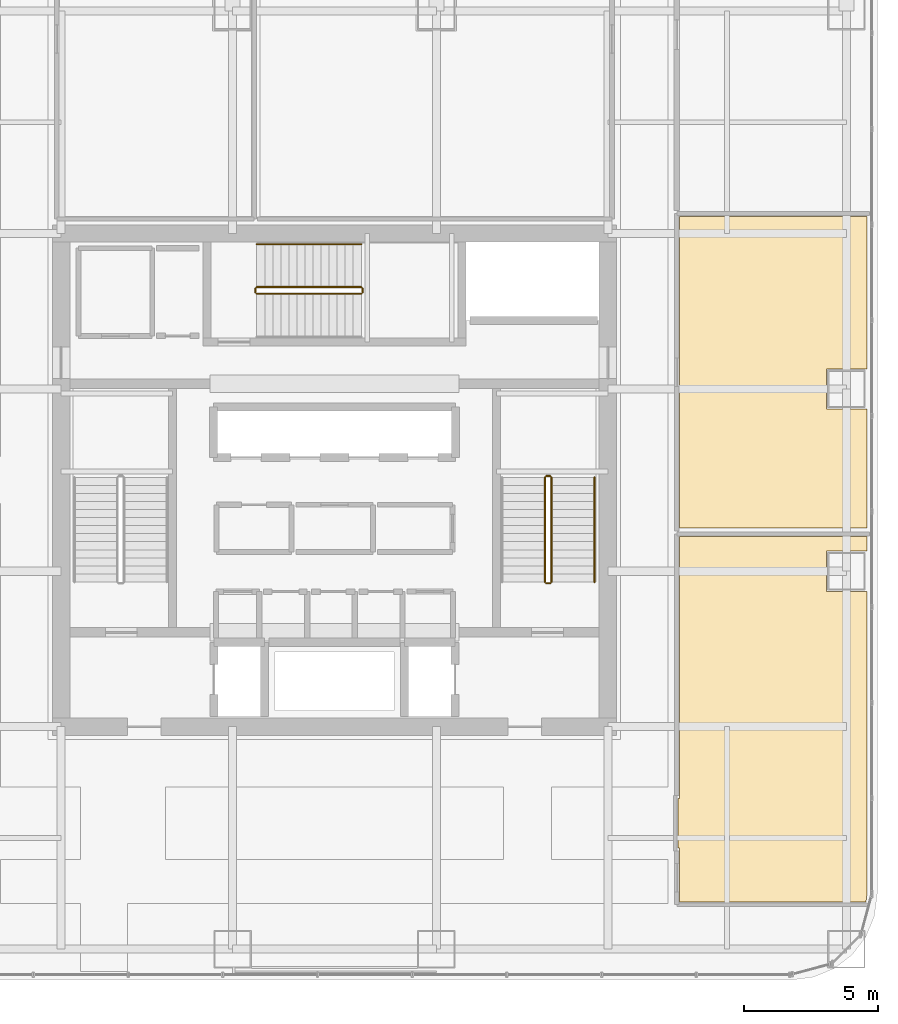
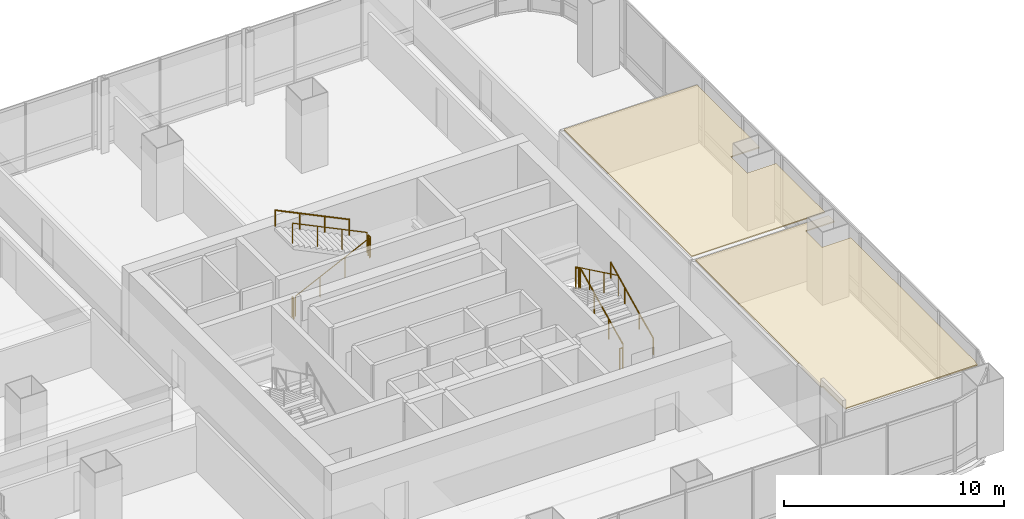
# One storey, part 37 of 38: 10 railings, 2 coverings.
"""IFC4 building model written with IfcOpenShell, lengths in metres."""

from ifc_helpers import new_model, si_unit, direction, frame, origin, origin_2d, place, context, subcontext, project, spatial, polyline, circle, outline, extrude, material, layer, layer_set, type_object, element, save


model = new_model("IFC4")

# Units and contexts
model_context = context("Model", 3, precision=1e-05, world=origin(), true_north=direction((0.0, 1.0)))
body_context = subcontext(model_context, "Body", "Model", "MODEL_VIEW")
ifc_project = project(units=[si_unit("LENGTHUNIT", "METRE"), si_unit("AREAUNIT", "SQUARE_METRE"), si_unit("VOLUMEUNIT", "CUBIC_METRE"), si_unit("PLANEANGLEUNIT", "RADIAN"), si_unit("MASSUNIT", "GRAM", prefix="KILO")], contexts=[model_context])

# Site, building, storey
site_placement = place(None, origin())
site = spatial("IfcSite", under=ifc_project, at=site_placement, CompositionType="ELEMENT")
building_placement = place(site_placement, origin())
building = spatial("IfcBuilding", under=site, at=building_placement, Name="Punatoya Terracotta Tower", CompositionType="ELEMENT")
storey_placement = place(building_placement, frame((0.0, 0.0, 151.949951171875)))
storey = spatial("IfcBuildingStorey", under=building, at=storey_placement, Name="L35", CompositionType="ELEMENT", Elevation=151.949951171875)

# Coverings
ifc_material_1 = material(Name="Acoustic Mineral Fibre Ceiling")
ifc_layer = layer(ifc_material_1, 0.06005859375)
ifc_layer_set = layer_set([ifc_layer], Name="Acoustic Mineral Fibre Ceiling")
covering_type = type_object("IfcCoveringType", Name="COV-CEIL-60", PredefinedType="CEILING", material=ifc_layer_set)
covering_1_placement = place(storey_placement, frame((0.0, 0.0, 3.219970703125)))
element("IfcCovering", 1, at=covering_1_placement, inside=storey, type_object=covering_type, Name="L35 Open-Plan Computational Simulation Laboratory Acoustic Ceiling", PredefinedType="CEILING", context=body_context, shape_type="SweptSolid", body=[
    extrude(outline(polyline([(12.81005859375, -13.72998046875), (12.8701171875, -13.72998046875), (12.8701171875, -15.739990234375), (19.82861328125, -15.739990234375), (19.8701171875, -15.425048828125), (19.8701171875, -4.14990234375), (18.35009765625, -4.14990234375), (18.35009765625, -2.64990234375), (19.8701171875, -2.64990234375), (19.8701171875, -2.113037109375), (12.8701171875, -2.113037109375), (12.8701171875, -11.8701171875), (12.81005859375, -11.8701171875), (12.81005859375, -13.72998046875)])), origin(), (0.0, 0.0, 1.0), 0.06005859375),
])
covering_2_placement = place(storey_placement, frame((0.0, 0.0, 3.219970703125)))
element("IfcCovering", 2, at=covering_2_placement, inside=storey, type_object=covering_type, Name="L35 Open-Plan Materials Testing Laboratory Acoustic Ceiling", PredefinedType="CEILING", context=body_context, shape_type="SweptSolid", body=[
    extrude(outline(polyline([(18.35009765625, 4.14990234375), (19.8701171875, 4.14990234375), (19.8701171875, 9.842041015625), (12.8701171875, 9.842041015625), (12.8701171875, -1.79296875), (19.8701171875, -1.79296875), (19.8701171875, 2.64990234375), (18.35009765625, 2.64990234375), (18.35009765625, 4.14990234375)])), origin(), (0.0, 0.0, 1.0), 0.06005859375),
])

# Railings
ifc_material_2 = material(Name="Steel S355", Category="steel")
railing_type_1 = type_object("IfcRailingType", Name="RLG-GRD-1150", PredefinedType="GUARDRAIL", material=ifc_material_2)
railing_1_placement = place(storey_placement, frame((8.10009765625, -3.800048828125, 0.144775390625)))
element("IfcRailing", 3, at=railing_1_placement, inside=storey, type_object=railing_type_1, Name="L35 ST-2 stair guard 1", PredefinedType="GUARDRAIL", context=body_context, shape_type="SweptSolid", body=[
    extrude(circle(Radius=0.02392578125, at=origin_2d()), frame((0.0, 0.0, 1.1259765625), z_axis=(0.0, 0.900773802044, 0.434288564841), x_axis=(-1.0, 0.0, 0.0)), (0.0, 0.0, 1.0), 4.329833984375),
    extrude(circle(Radius=0.02099609375, at=origin_2d()), origin(), (0.0, 0.0, 1.0), 1.101806640625),
    extrude(circle(Radius=0.02099609375, at=origin_2d()), frame((0.0, 1.300048828125, 0.626708984375)), (0.0, 0.0, 1.0), 1.101806640625),
    extrude(circle(Radius=0.02099609375, at=origin_2d()), frame((0.0, 2.60009765625, 1.253662109375)), (0.0, 0.0, 1.0), 1.101806640625),
    extrude(circle(Radius=0.02099609375, at=origin_2d()), frame((0.0, 3.900146484375, 1.88037109375)), (0.0, 0.0, 1.0), 1.101806640625),
])
railing_2_placement = place(storey_placement, frame((8.050048828125, 0.14990234375, 2.025146484375)))
element("IfcRailing", 4, at=railing_2_placement, inside=storey, type_object=railing_type_1, Name="L35 ST-2 stair guard 2", PredefinedType="GUARDRAIL", context=body_context, shape_type="SweptSolid", body=[
    extrude(circle(Radius=0.02392578125, at=origin_2d()), frame((0.0, 0.0, 1.1259765625), z_axis=(-1.0, 0.0, 0.0), x_axis=(0.0, -1.0, 0.0)), (0.0, 0.0, 1.0), 0.150146484375),
    extrude(circle(Radius=0.02099609375, at=origin_2d()), origin(), (0.0, 0.0, 1.0), 1.101806640625),
    extrude(circle(Radius=0.02099609375, at=origin_2d()), frame((-0.150146484375, 0.0, 0.0)), (0.0, 0.0, 1.0), 1.101806640625),
])
railing_3_placement = place(storey_placement, frame((7.85009765625, 0.10009765625, 2.169677734375)))
element("IfcRailing", 5, at=railing_3_placement, inside=storey, type_object=railing_type_1, Name="L35 ST-2 stair guard 3", PredefinedType="GUARDRAIL", context=body_context, shape_type="SweptSolid", body=[
    extrude(circle(Radius=0.02392578125, at=origin_2d()), frame((0.0, 0.0, 1.1259765625), z_axis=(0.0, -0.900773802044, 0.434288564841), x_axis=(1.0, 0.0, 0.0)), (0.0, 0.0, 1.0), 4.329833984375),
    extrude(circle(Radius=0.02099609375, at=origin_2d()), origin(), (0.0, 0.0, 1.0), 1.101806640625),
    extrude(circle(Radius=0.02099609375, at=origin_2d()), frame((0.0, -1.300048828125, 0.626708984375)), (0.0, 0.0, 1.0), 1.101806640625),
    extrude(circle(Radius=0.02099609375, at=origin_2d()), frame((0.0, -2.60009765625, 1.253662109375)), (0.0, 0.0, 1.0), 1.101806640625),
    extrude(circle(Radius=0.02099609375, at=origin_2d()), frame((0.0, -3.900146484375, 1.88037109375)), (0.0, 0.0, 1.0), 1.101806640625),
])
railing_4_placement = place(storey_placement, frame((8.050048828125, -3.85009765625, 0.0)))
element("IfcRailing", 6, at=railing_4_placement, inside=storey, type_object=railing_type_1, Name="L35 ST-2 stair guard 4", PredefinedType="GUARDRAIL", context=body_context, shape_type="SweptSolid", body=[
    extrude(circle(Radius=0.02392578125, at=origin_2d()), frame((0.0, 0.0, 1.1259765625), z_axis=(-1.0, 0.0, 0.0), x_axis=(0.0, -1.0, 0.0)), (0.0, 0.0, 1.0), 0.150146484375),
    extrude(circle(Radius=0.02099609375, at=origin_2d()), origin(), (0.0, 0.0, 1.0), 1.101806640625),
    extrude(circle(Radius=0.02099609375, at=origin_2d()), frame((-0.150146484375, 0.0, 0.0)), (0.0, 0.0, 1.0), 1.101806640625),
])
railing_5_placement = place(storey_placement, frame((-2.89990234375, 6.949951171875, 0.144775390625)))
element("IfcRailing", 7, at=railing_5_placement, inside=storey, type_object=railing_type_1, Name="L35 ST-3 stair guard 1", PredefinedType="GUARDRAIL", context=body_context, shape_type="SweptSolid", body=[
    extrude(circle(Radius=0.02392578125, at=origin_2d()), frame((0.0, 0.0, 1.1259765625), z_axis=(0.900763166376, 0.0, 0.434310623978), x_axis=(0.0, 1.0, 0.0)), (0.0, 0.0, 1.0), 4.32958984375),
    extrude(circle(Radius=0.02099609375, at=origin_2d()), origin(), (0.0, 0.0, 1.0), 1.101806640625),
    extrude(circle(Radius=0.02099609375, at=origin_2d()), frame((1.300048828125, 0.0, 0.626708984375)), (0.0, 0.0, 1.0), 1.101806640625),
    extrude(circle(Radius=0.02099609375, at=origin_2d()), frame((2.599853515625, 0.0, 1.253662109375)), (0.0, 0.0, 1.0), 1.101806640625),
    extrude(circle(Radius=0.02099609375, at=origin_2d()), frame((3.89990234375, 0.0, 1.88037109375)), (0.0, 0.0, 1.0), 1.101806640625),
])
railing_6_placement = place(storey_placement, frame((1.050048828125, 7.0, 2.025146484375)))
element("IfcRailing", 8, at=railing_6_placement, inside=storey, type_object=railing_type_1, Name="L35 ST-3 stair guard 2", PredefinedType="GUARDRAIL", context=body_context, shape_type="SweptSolid", body=[
    extrude(circle(Radius=0.02392578125, at=origin_2d()), frame((0.0, 0.0, 1.1259765625), z_axis=(0.0, 1.0, 0.0), x_axis=(-1.0, 0.0, 0.0)), (0.0, 0.0, 1.0), 0.14990234375),
    extrude(circle(Radius=0.02099609375, at=origin_2d()), origin(), (0.0, 0.0, 1.0), 1.101806640625),
    extrude(circle(Radius=0.02099609375, at=origin_2d()), frame((0.0, 0.14990234375, 0.0)), (0.0, 0.0, 1.0), 1.101806640625),
])
railing_7_placement = place(storey_placement, frame((1.0, 7.199951171875, 2.169677734375)))
element("IfcRailing", 9, at=railing_7_placement, inside=storey, type_object=railing_type_1, Name="L35 ST-3 stair guard 3", PredefinedType="GUARDRAIL", context=body_context, shape_type="SweptSolid", body=[
    extrude(circle(Radius=0.02392578125, at=origin_2d()), frame((0.0, 0.0, 1.1259765625), z_axis=(-0.900763166376, 0.0, 0.434310623978), x_axis=(0.0, -1.0, 0.0)), (0.0, 0.0, 1.0), 4.32958984375),
    extrude(circle(Radius=0.02099609375, at=origin_2d()), origin(), (0.0, 0.0, 1.0), 1.101806640625),
    extrude(circle(Radius=0.02099609375, at=origin_2d()), frame((-1.300048828125, 0.0, 0.626708984375)), (0.0, 0.0, 1.0), 1.101806640625),
    extrude(circle(Radius=0.02099609375, at=origin_2d()), frame((-2.599853515625, 0.0, 1.253662109375)), (0.0, 0.0, 1.0), 1.101806640625),
    extrude(circle(Radius=0.02099609375, at=origin_2d()), frame((-3.89990234375, 0.0, 1.88037109375)), (0.0, 0.0, 1.0), 1.101806640625),
])
railing_8_placement = place(storey_placement, frame((-2.949951171875, 7.0, 0.0)))
element("IfcRailing", 10, at=railing_8_placement, inside=storey, type_object=railing_type_1, Name="L35 ST-3 stair guard 4", PredefinedType="GUARDRAIL", context=body_context, shape_type="SweptSolid", body=[
    extrude(circle(Radius=0.02392578125, at=origin_2d()), frame((0.0, 0.0, 1.1259765625), z_axis=(0.0, 1.0, 0.0), x_axis=(-1.0, 0.0, 0.0)), (0.0, 0.0, 1.0), 0.14990234375),
    extrude(circle(Radius=0.02099609375, at=origin_2d()), origin(), (0.0, 0.0, 1.0), 1.101806640625),
    extrude(circle(Radius=0.02099609375, at=origin_2d()), frame((0.0, 0.14990234375, 0.0)), (0.0, 0.0, 1.0), 1.101806640625),
])
railing_type_2 = type_object("IfcRailingType", Name="RLG-HND-900", PredefinedType="HANDRAIL", material=ifc_material_2)
railing_9_placement = place(storey_placement, frame((9.699951171875, -3.800048828125, 0.144775390625)))
element("IfcRailing", 11, at=railing_9_placement, inside=storey, type_object=railing_type_2, Name="L35 ST-2 stair handrail 1", PredefinedType="HANDRAIL", context=body_context, shape_type="SweptSolid", body=[
    extrude(circle(Radius=0.02392578125, at=origin_2d()), frame((0.0, 0.0, 0.8759765625), z_axis=(0.0, 0.900773802044, 0.434288564841), x_axis=(-1.0, 0.0, 0.0)), (0.0, 0.0, 1.0), 4.329833984375),
    extrude(circle(Radius=0.02099609375, at=origin_2d()), origin(), (0.0, 0.0, 1.0), 0.851806640625),
    extrude(circle(Radius=0.02099609375, at=origin_2d()), frame((0.0, 1.300048828125, 0.626708984375)), (0.0, 0.0, 1.0), 0.851806640625),
    extrude(circle(Radius=0.02099609375, at=origin_2d()), frame((0.0, 2.60009765625, 1.253662109375)), (0.0, 0.0, 1.0), 0.851806640625),
    extrude(circle(Radius=0.02099609375, at=origin_2d()), frame((0.0, 3.900146484375, 1.88037109375)), (0.0, 0.0, 1.0), 0.851806640625),
])
railing_10_placement = place(storey_placement, frame((1.0, 8.800048828125, 2.169677734375)))
element("IfcRailing", 12, at=railing_10_placement, inside=storey, type_object=railing_type_2, Name="L35 ST-3 stair handrail 2", PredefinedType="HANDRAIL", context=body_context, shape_type="SweptSolid", body=[
    extrude(circle(Radius=0.02392578125, at=origin_2d()), frame((0.0, 0.0, 0.8759765625), z_axis=(-0.900763166376, 0.0, 0.434310623978), x_axis=(0.0, -1.0, 0.0)), (0.0, 0.0, 1.0), 4.32958984375),
    extrude(circle(Radius=0.02099609375, at=origin_2d()), origin(), (0.0, 0.0, 1.0), 0.851806640625),
    extrude(circle(Radius=0.02099609375, at=origin_2d()), frame((-1.300048828125, 0.0, 0.626708984375)), (0.0, 0.0, 1.0), 0.851806640625),
    extrude(circle(Radius=0.02099609375, at=origin_2d()), frame((-2.599853515625, 0.0, 1.253662109375)), (0.0, 0.0, 1.0), 0.851806640625),
    extrude(circle(Radius=0.02099609375, at=origin_2d()), frame((-3.89990234375, 0.0, 1.88037109375)), (0.0, 0.0, 1.0), 0.851806640625),
])

save(model, "model.ifc")
